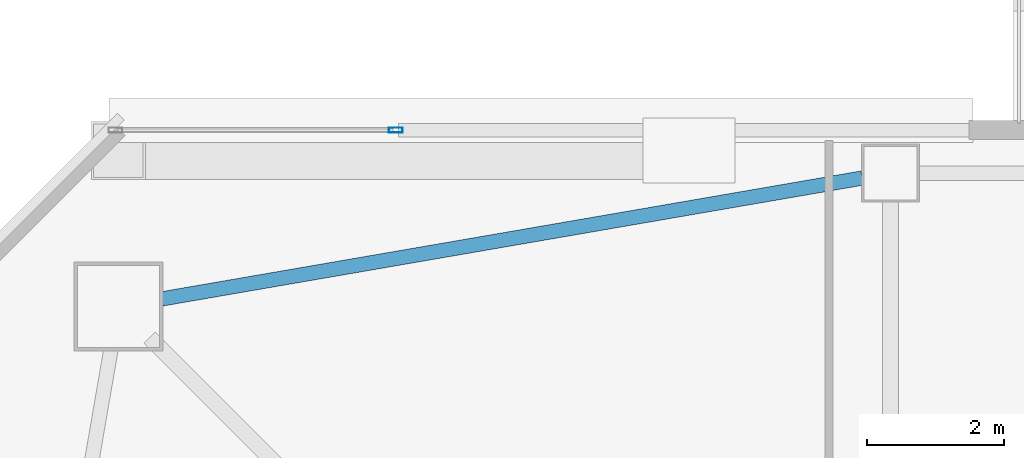
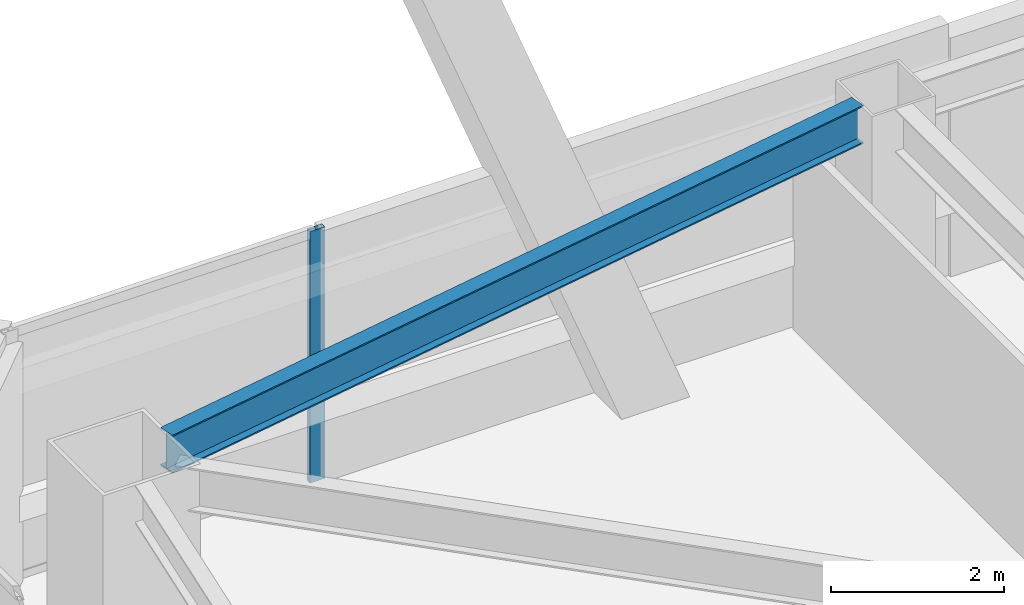
# One storey, part 20 of 54: 1 beam, 1 member, 1 element without a shape of its own.
"""IFC4 building model written with IfcOpenShell, lengths in metres."""

from ifc_helpers import new_model, si_unit, direction, frame, origin, origin_2d, place, context, subcontext, project, spatial, hollow_rectangle, i_section, extrude, material, material_profile, profile_set, type_object, element, aggregate, save


model = new_model("IFC4")

# Units and contexts
model_context = context("Model", 3, precision=1e-05, world=origin(), true_north=direction((0.0, 1.0)))
body_context = subcontext(model_context, "Body", "Model", "MODEL_VIEW")
ifc_project = project(units=[si_unit("LENGTHUNIT", "METRE"), si_unit("AREAUNIT", "SQUARE_METRE"), si_unit("VOLUMEUNIT", "CUBIC_METRE"), si_unit("PLANEANGLEUNIT", "RADIAN"), si_unit("MASSUNIT", "GRAM", prefix="KILO")], contexts=[model_context])

# Site, building, storey
site_placement = place(None, origin())
site = spatial("IfcSite", under=ifc_project, at=site_placement, CompositionType="ELEMENT")
building_placement = place(site_placement, origin())
building = spatial("IfcBuilding", under=site, at=building_placement, Name="Tashvorn Skyway Center", CompositionType="ELEMENT")
storey_placement = place(building_placement, frame((0.0, 0.0, 135.699951171875)))
storey = spatial("IfcBuildingStorey", under=building, at=storey_placement, Name="L36", CompositionType="ELEMENT", Elevation=135.699951171875)

# Beam
ifc_material_1 = material(Name="Steel ASTM A992 Grade 50", Category="steel")
ifc_material_profile_1 = material_profile(ifc_material_1, i_section(OverallWidth=0.2109375, OverallDepth=0.5390625, WebThickness=0.01171875, FlangeThickness=0.018798828125, at=origin_2d()), Name="W21X73")
ifc_profile_set_1 = profile_set([ifc_material_profile_1], Name="Steel ASTM A992 Grade 50")
beam_type = type_object("IfcBeamType", Name="BM-SPANDREL-W21X73", PredefinedType="SPANDREL", material=ifc_profile_set_1)
beam_placement = place(storey_placement, frame((36.18603515625, 50.57861328125, 3.1005859375), z_axis=(-0.985432458462, -0.170067250846, 0.0), x_axis=(0.170067250846, -0.985432458462, 0.0)))
element("IfcBeam", 1, at=beam_placement, inside=storey, type_object=beam_type, Name="Tower 1 L36 Spandrel Beam 09", PredefinedType="SPANDREL", context=body_context, shape_type="SweptSolid", body=[
    extrude(i_section(OverallWidth=0.2109375, OverallDepth=0.5390625, WebThickness=0.01171875, FlangeThickness=0.018798828125, at=origin_2d()), origin(), (0.0, 0.0, 1.0), 10.402099609375),
])

# Curtain wall, member
ifc_material_2 = material(Name="Thermally broken bronze-anodized aluminium 6063-T6", Category="aluminium")
curtain_wall_type = type_object("IfcCurtainWallType", Name="CW-CW-Z3", PredefinedType="NOTDEFINED", material=ifc_material_2)
curtain_wall_placement = place(storey_placement, origin())
curtain_wall = element("IfcCurtainWall", 2, at=curtain_wall_placement, inside=storey, type_object=curtain_wall_type, Name="Tower 1 L36 North Curtain Wall L Glazing Group 1", PredefinedType="NOTDEFINED")
ifc_material_profile_2 = material_profile(ifc_material_2, hollow_rectangle(XDim=0.074951171875, YDim=0.199951171875, WallThickness=0.00439453125, at=origin_2d()), Name="ALU-MULL-75x200")
ifc_profile_set_2 = profile_set([ifc_material_profile_2], Name="Thermally broken bronze-anodized aluminium 6063-T6")
member_type = type_object("IfcMemberType", Name="CWM-CW-Z3", PredefinedType="MULLION", material=ifc_profile_set_2)
member_placement = place(storey_placement, frame((29.359130859375, 51.280029296875, 0.0), z_axis=(0.0, 0.0, 1.0), x_axis=(0.0, 1.0, 0.0)))
member = element("IfcMember", 3, at=member_placement, type_object=member_type, Name="CW-Z3 mullion 2", PredefinedType="MULLION", context=body_context, shape_type="SweptSolid", body=[
    extrude(hollow_rectangle(XDim=0.074951171875, YDim=0.199951171875, WallThickness=0.00439453125, at=origin_2d()), origin(), (0.0, 0.0, 1.0), 3.550048828125),
])
aggregate(curtain_wall, [member])

save(model, "model.ifc")
